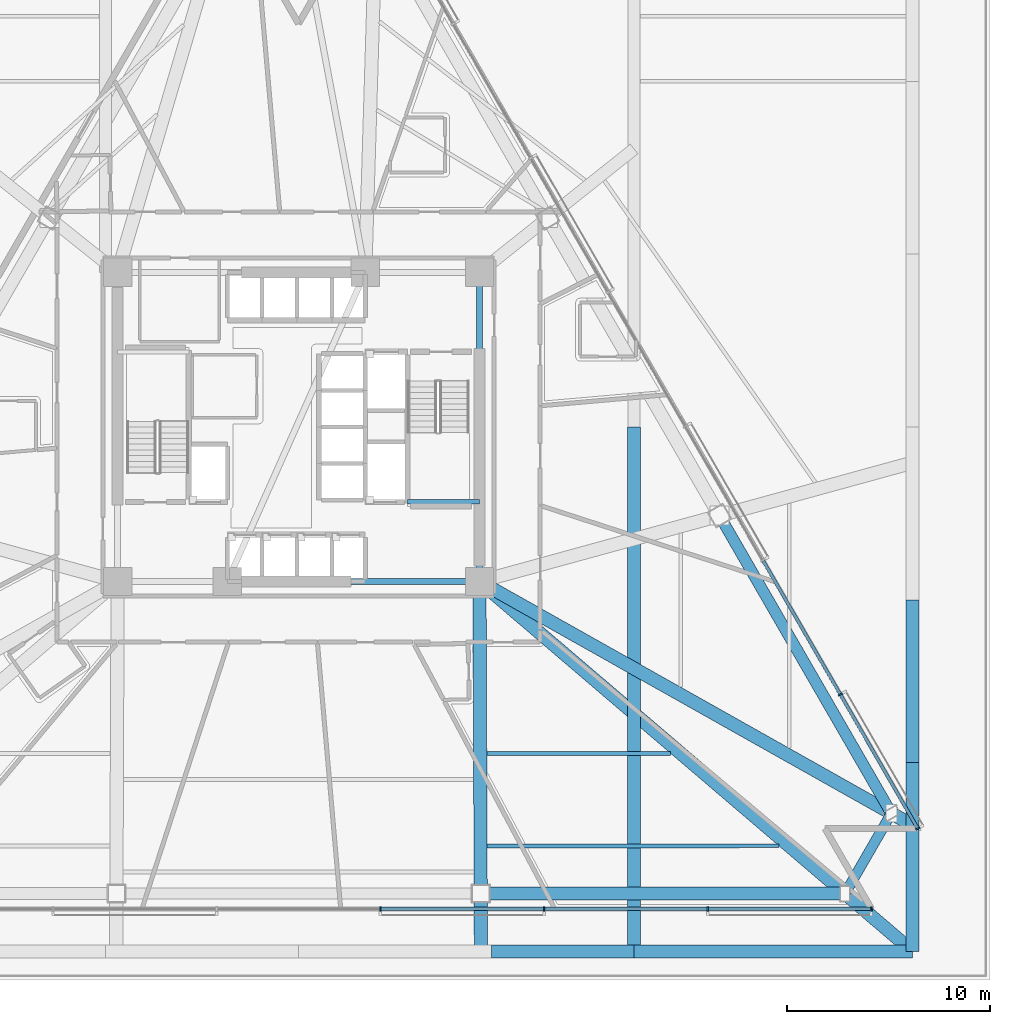
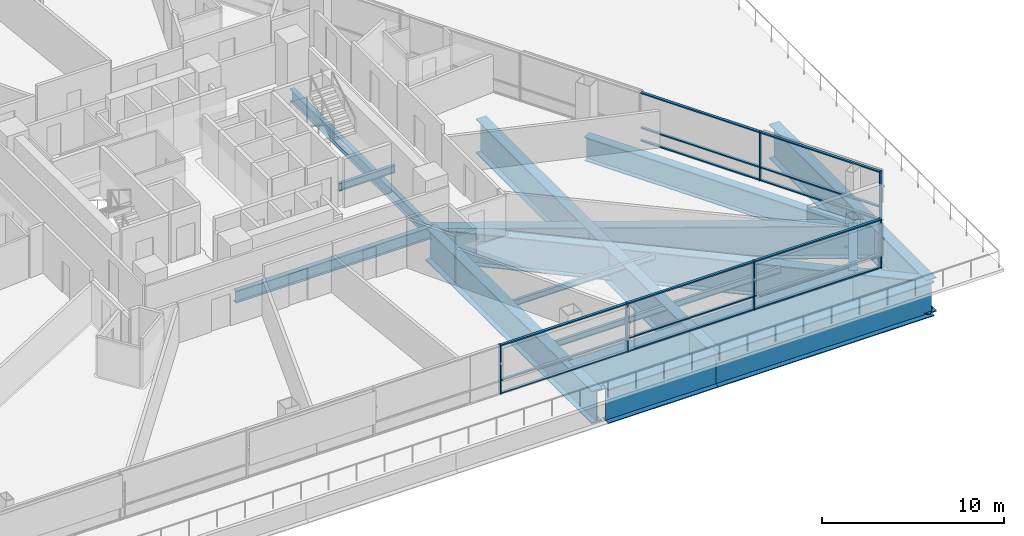
# One storey, part 4 of 19: 21 members, 16 beams, 2 elements without a shape of their own.
"""IFC4 building model written with IfcOpenShell, lengths in metres."""

import ifcopenshell
import ifcopenshell.guid

model = None  # the IFC model being written
_history = None  # IfcOwnerHistory: only IFC2X3 demands one
_inside = {}  # id of a spatial element -> (the spatial element, [elements in it])
_under = {}  # id of a project, library or spatial element -> (it, [spatial elements below it])
_declared = {}  # id of a project -> (the project, [libraries it declares])
_typed = {}  # id of a type object -> (the type object, [elements of that type])
_made_of = {}  # id of a material, layer set ... -> (it, [elements and type objects made of it])


def new_model(schema):
    """Start an empty IFC model of exactly this schema.

    Asked for "IFC4X3", IfcOpenShell would pick the latest addendum, in which some entities
    have other attributes; the version numbers below select the first issue.
    IFC2X3 requires an IfcOwnerHistory on every rooted entity: one is made here for all.
    """
    global model, _history
    if schema == "IFC4X3":
        model = ifcopenshell.file(schema_version=(4, 3, 0, 0))
    else:
        model = ifcopenshell.file(schema=schema)
    _inside.clear()
    _under.clear()
    _declared.clear()
    _typed.clear()
    _made_of.clear()
    _history = None
    if model.schema == "IFC2X3":
        org = make("IfcOrganization", Name="unknown")
        user = make(
            "IfcPersonAndOrganization",
            ThePerson=make("IfcPerson", FamilyName="unknown"),
            TheOrganization=org,
        )
        app = make(
            "IfcApplication",
            ApplicationDeveloper=org,
            Version="unknown",
            ApplicationFullName="unknown",
            ApplicationIdentifier="unknown",
        )
        _history = make(
            "IfcOwnerHistory",
            OwningUser=user,
            OwningApplication=app,
            ChangeAction="ADDED",
            CreationDate=0,
        )
    return model


def make(cls, **values):
    """One entity of the class cls with the attributes given. An attribute that is None is left unset."""
    return model.create_entity(
        cls, **{name: value for name, value in values.items() if value is not None}
    )


def rooted(cls, **values):
    """An entity with a GlobalId (a new one), such as an element, a storey or a relation."""
    return make(cls, GlobalId=ifcopenshell.guid.new(), OwnerHistory=_history, **values)


def si_unit(unit_type, name, prefix=None):
    """IfcSIUnit, for example si_unit("LENGTHUNIT", "METRE", prefix="MILLI")."""
    return make("IfcSIUnit", UnitType=unit_type, Prefix=prefix, Name=name)


def assignment(units):
    """IfcUnitAssignment: the units of a project."""
    return None if units is None else make("IfcUnitAssignment", Units=units)


def point(xyz):
    """IfcCartesianPoint."""
    return None if xyz is None else make("IfcCartesianPoint", Coordinates=xyz)


def direction(xyz):
    """IfcDirection."""
    return None if xyz is None else make("IfcDirection", DirectionRatios=xyz)


def frame(location, z_axis=None, x_axis=None):
    """IfcAxis2Placement3D, a coordinate frame: its origin and axes. An axis left out is left unset."""
    return make(
        "IfcAxis2Placement3D",
        Location=point(location),
        Axis=direction(z_axis),
        RefDirection=direction(x_axis),
    )


def frame_2d(location, x_axis=None):
    """IfcAxis2Placement2D, a coordinate frame in the plane: its origin and x axis."""
    return make(
        "IfcAxis2Placement2D", Location=point(location), RefDirection=direction(x_axis)
    )


def origin():
    """The frame at (0, 0, 0) with its axes left unset."""
    return frame((0.0, 0.0, 0.0))


def origin_2d():
    """The frame at (0, 0) in the plane with its x axis left unset."""
    return frame_2d((0.0, 0.0))


def place(relative_to, where):
    """IfcLocalPlacement: puts the frame where relative to a parent placement (None: the world)."""
    return make(
        "IfcLocalPlacement", PlacementRelTo=relative_to, RelativePlacement=where
    )


def context(
    kind, dimensions, precision=None, world=None, true_north=None, identifier=None
):
    """IfcGeometricRepresentationContext, for example the 3D "Model" context."""
    return make(
        "IfcGeometricRepresentationContext",
        ContextIdentifier=identifier,
        ContextType=kind,
        CoordinateSpaceDimension=dimensions,
        Precision=precision,
        WorldCoordinateSystem=world,
        TrueNorth=true_north,
    )


def subcontext(parent, identifier, kind, view, scale=None):
    """IfcGeometricRepresentationSubContext, for example "Body" below "Model"."""
    return make(
        "IfcGeometricRepresentationSubContext",
        ContextIdentifier=identifier,
        ContextType=kind,
        ParentContext=parent,
        TargetScale=scale,
        TargetView=view,
    )


def project(units=None, contexts=None):
    """IfcProject with its units and contexts."""
    return rooted(
        "IfcProject",
        Name="project",
        RepresentationContexts=contexts,
        UnitsInContext=assignment(units),
    )


def spatial(cls, under=None, at=None, **own):
    """A site, building, storey or space (cls), placed at a placement, below another one or the project."""
    s = rooted(cls, ObjectPlacement=at, **own)
    if under is not None:
        _under.setdefault(under.id(), (under, []))[1].append(s)
    return s


def profile(cls, at=None, kind="AREA", **sizes):
    """A parametric profile (cls). Its sizes go by their IFC names, for example OverallWidth=200.0."""
    return make(cls, ProfileType=kind, Position=at, **sizes)


def rectangle(**sizes):
    """IfcRectangleProfileDef."""
    return profile("IfcRectangleProfileDef", **sizes)


def i_section(**sizes):
    """IfcIShapeProfileDef."""
    return profile("IfcIShapeProfileDef", **sizes)


def extrude(swept, where, along, depth):
    """IfcExtrudedAreaSolid: the profile swept, set in the frame where, extruded along a direction by depth."""
    return make(
        "IfcExtrudedAreaSolid",
        SweptArea=swept,
        Position=where,
        ExtrudedDirection=direction(along),
        Depth=depth,
    )


def shape(context_of_items, identifier, shape_type, items):
    """IfcShapeRepresentation: the items that make up one representation, for example the "Body"."""
    return make(
        "IfcShapeRepresentation",
        ContextOfItems=context_of_items,
        RepresentationIdentifier=identifier,
        RepresentationType=shape_type,
        Items=items,
    )


def material(Name=None, Category=None):
    """IfcMaterial."""
    return make("IfcMaterial", Name=Name, Category=Category)


def layer(
    of_material, thickness, ventilated=None, Name=None, Category=None, Priority=None
):
    """IfcMaterialLayer: one layer of a wall or slab, of a material (None: an air gap)."""
    return make(
        "IfcMaterialLayer",
        Material=of_material,
        LayerThickness=thickness,
        IsVentilated=ventilated,
        Name=Name,
        Category=Category,
        Priority=Priority,
    )


def layer_set(layers, Name=None):
    """IfcMaterialLayerSet."""
    return make("IfcMaterialLayerSet", MaterialLayers=layers, LayerSetName=Name)


def material_profile(
    of_material, cross_section, Name=None, Category=None, Priority=None
):
    """IfcMaterialProfile: a cross section and its material."""
    return make(
        "IfcMaterialProfile",
        Name=Name,
        Material=of_material,
        Profile=cross_section,
        Priority=Priority,
        Category=Category,
    )


def profile_set(profiles, Name=None, composite=None):
    """IfcMaterialProfileSet."""
    return make(
        "IfcMaterialProfileSet",
        Name=Name,
        MaterialProfiles=profiles,
        CompositeProfile=composite,
    )


def made_of(thing, what):
    """Note that an element or type object is made of a material, layer set ...; save() writes the relation."""
    if what is not None:
        _made_of.setdefault(what.id(), (what, []))[1].append(thing)
    return thing


def type_object(cls, material=None, **own):
    """A type object (cls), such as IfcWallType, which elements share."""
    return made_of(rooted(cls, **own), material)


def element(
    cls,
    number,
    at=None,
    inside=None,
    cuts=None,
    type_object=None,
    material=None,
    context=None,
    identifier="Body",
    shape_type=None,
    held_by="IfcProductDefinitionShape",
    body=None,
    shapes=None,
    **own,
):
    """One element of the class cls, such as IfcWall. Its Tag is "e" and its number.

    at: its placement. inside: the storey or other place that contains it. cuts: it is an
    opening in that element (IfcRelVoidsElement). A single representation is given by context,
    identifier, shape_type and body (its items); several are given by shapes. held_by: the class
    of the entity that holds the representations. save() writes the other relations.
    """
    e = rooted(cls, Tag="e%d" % number, ObjectPlacement=at, **own)
    if body is not None:
        shapes = [shape(context, identifier, shape_type, body)]
    if shapes is not None:
        e.Representation = make(held_by, Representations=shapes)
    if inside is not None:
        _inside.setdefault(inside.id(), (inside, []))[1].append(e)
    if cuts is not None:
        rooted(
            "IfcRelVoidsElement", RelatingBuildingElement=cuts, RelatedOpeningElement=e
        )
    if type_object is not None:
        _typed.setdefault(type_object.id(), (type_object, []))[1].append(e)
    return made_of(e, material)


def aggregate(whole, parts):
    """IfcRelAggregates: a whole, such as a stair, and the parts it consists of."""
    return rooted("IfcRelAggregates", RelatingObject=whole, RelatedObjects=parts)


def save(model, path):
    """Write the relations noted so far, then the file.

    IfcRelAggregates (storeys below a building ...), IfcRelContainedInSpatialStructure (elements
    in a storey), IfcRelDefinesByType, IfcRelAssociatesMaterial and IfcRelDeclares: one each for
    every whole, place, type object, material and project.
    """
    for whole, parts in _under.values():
        aggregate(whole, parts)
    for where, things in _inside.values():
        rooted(
            "IfcRelContainedInSpatialStructure",
            RelatedElements=things,
            RelatingStructure=where,
        )
    for kind, things in _typed.values():
        rooted("IfcRelDefinesByType", RelatedObjects=things, RelatingType=kind)
    for what, things in _made_of.values():
        rooted("IfcRelAssociatesMaterial", RelatedObjects=things, RelatingMaterial=what)
    for by, libraries in _declared.values():
        rooted("IfcRelDeclares", RelatingContext=by, RelatedDefinitions=libraries)
    model.write(path)


model = new_model("IFC4")

# Units and contexts
model_context = context("Model", 3, precision=1e-05, world=origin(), true_north=direction((0.0, 1.0)))
body_context = subcontext(model_context, "Body", "Model", "MODEL_VIEW")
ifc_project = project(units=[si_unit("LENGTHUNIT", "METRE"), si_unit("AREAUNIT", "SQUARE_METRE"), si_unit("VOLUMEUNIT", "CUBIC_METRE"), si_unit("PLANEANGLEUNIT", "RADIAN"), si_unit("MASSUNIT", "GRAM", prefix="KILO")], contexts=[model_context])

# Site, building, storey
site_placement = place(None, origin())
site = spatial("IfcSite", under=ifc_project, at=site_placement, CompositionType="ELEMENT")
building_placement = place(site_placement, origin())
building = spatial("IfcBuilding", under=site, at=building_placement, Name="Tharavind Bronze Gate", CompositionType="ELEMENT")
storey_placement = place(building_placement, frame((0.0, 0.0, 31.800048828125)))
storey = spatial("IfcBuildingStorey", under=building, at=storey_placement, Name="L06", CompositionType="ELEMENT", Elevation=31.800048828125)

# Curtain wall, members
ifc_material_1 = material(Name="Anodised Bronze Aluminium", Category="aluminium")
ifc_layer = layer(ifc_material_1, 0.219970703125)
ifc_layer_set = layer_set([ifc_layer], Name="Anodised Bronze Aluminium")
curtain_wall_type = type_object("IfcCurtainWallType", Name="UNITISED CURTAIN WALL HOTEL", PredefinedType="USERDEFINED", material=ifc_layer_set)
curtain_wall_1_placement = place(storey_placement, origin())
curtain_wall_1 = element("IfcCurtainWall", 1, at=curtain_wall_1_placement, inside=storey, type_object=curtain_wall_type, Name="L06 unitised curtain wall hotel CW-L06-S2", ObjectType="UNITISED CURTAIN WALL", PredefinedType="USERDEFINED")
member_type_1 = type_object("IfcMemberType", Name="CURTAIN WALL MULLION 80X220", PredefinedType="MULLION", material=ifc_material_1)
member_1_placement = place(storey_placement, frame((4.025146484375, -23.699951171875, 0.0), z_axis=(0.0, 0.0, 1.0), x_axis=(1.0, 0.0, 0.0)))
member_1 = element("IfcMember", 2, at=member_1_placement, type_object=member_type_1, Name="CW-L06-S2 mullion 5", PredefinedType="MULLION", context=body_context, shape_type="SweptSolid", body=[
    extrude(rectangle(XDim=0.080078125, YDim=0.219970703125, at=origin_2d()), origin(), (0.0, 0.0, 1.0), 3.27490234375),
])
member_2_placement = place(storey_placement, frame((12.0751953125, -23.699951171875, 0.0), z_axis=(0.0, 0.0, 1.0), x_axis=(1.0, 0.0, 0.0)))
member_2 = element("IfcMember", 3, at=member_2_placement, type_object=member_type_1, Name="CW-L06-S2 mullion 6", PredefinedType="MULLION", context=body_context, shape_type="SweptSolid", body=[
    extrude(rectangle(XDim=0.080078125, YDim=0.219970703125, at=origin_2d()), origin(), (0.0, 0.0, 1.0), 3.27490234375),
])
member_3_placement = place(storey_placement, frame((20.12548828125, -23.699951171875, 0.0), z_axis=(0.0, 0.0, 1.0), x_axis=(1.0, 0.0, 0.0)))
member_3 = element("IfcMember", 4, at=member_3_placement, type_object=member_type_1, Name="CW-L06-S2 mullion 7", PredefinedType="MULLION", context=body_context, shape_type="SweptSolid", body=[
    extrude(rectangle(XDim=0.080078125, YDim=0.219970703125, at=origin_2d()), origin(), (0.0, 0.0, 1.0), 3.27490234375),
])
member_4_placement = place(storey_placement, frame((28.17578125, -23.699951171875, 0.0), z_axis=(0.0, 0.0, 1.0), x_axis=(1.0, 0.0, 0.0)))
member_4 = element("IfcMember", 5, at=member_4_placement, type_object=member_type_1, Name="CW-L06-S2 mullion 8", PredefinedType="MULLION", context=body_context, shape_type="SweptSolid", body=[
    extrude(rectangle(XDim=0.080078125, YDim=0.219970703125, at=origin_2d()), origin(), (0.0, 0.0, 1.0), 3.27490234375),
])

curtain_wall_2_placement = place(storey_placement, origin())
curtain_wall_2 = element("IfcCurtainWall", 6, at=curtain_wall_2_placement, inside=storey, type_object=curtain_wall_type, Name="L06 unitised curtain wall hotel CW-L06-S3", ObjectType="UNITISED CURTAIN WALL", PredefinedType="USERDEFINED")
member_5_placement = place(storey_placement, frame((30.455810546875, -19.7509765625, 0.0), z_axis=(0.0, 0.0, 1.0), x_axis=(-0.500001511499, 0.866024531118, 0.0)))
member_5 = element("IfcMember", 7, at=member_5_placement, type_object=member_type_1, Name="CW-L06-S3 mullion 1", PredefinedType="MULLION", context=body_context, shape_type="SweptSolid", body=[
    extrude(rectangle(XDim=0.080078125, YDim=0.219970703125, at=origin_2d()), origin(), (0.0, 0.0, 1.0), 3.27490234375),
])
member_6_placement = place(storey_placement, frame((26.647705078125, -13.1552734375, 0.0), z_axis=(0.0, 0.0, 1.0), x_axis=(-0.500001511499, 0.866024531118, 0.0)))
member_6 = element("IfcMember", 8, at=member_6_placement, type_object=member_type_1, Name="CW-L06-S3 mullion 2", PredefinedType="MULLION", context=body_context, shape_type="SweptSolid", body=[
    extrude(rectangle(XDim=0.080078125, YDim=0.219970703125, at=origin_2d()), origin(), (0.0, 0.0, 1.0), 3.27490234375),
])

# Member
member_type_2 = type_object("IfcMemberType", Name="CURTAIN WALL TRANSOM 80X160", PredefinedType="USERDEFINED", material=ifc_material_1)
member_7_placement = place(storey_placement, frame((8.05029296875, -23.699951171875, 0.0), z_axis=(0.0, 0.0, 1.0), x_axis=(1.0, 0.0, 0.0)))
member_7 = element("IfcMember", 9, at=member_7_placement, type_object=member_type_2, Name="CW-L06-S2 transom TB5", ObjectType="TRANSOM", PredefinedType="USERDEFINED", context=body_context, shape_type="SweptSolid", body=[
    extrude(rectangle(XDim=7.982177734375, YDim=0.159912109375, at=origin_2d()), origin(), (0.0, 0.0, 1.0), 0.080078125),
])

member_8_placement = place(storey_placement, frame((8.05029296875, -23.699951171875, 0.85986328125), z_axis=(0.0, 0.0, 1.0), x_axis=(1.0, 0.0, 0.0)))
member_8 = element("IfcMember", 10, at=member_8_placement, type_object=member_type_2, Name="CW-L06-S2 transom TS5", ObjectType="TRANSOM", PredefinedType="USERDEFINED", context=body_context, shape_type="SweptSolid", body=[
    extrude(rectangle(XDim=7.982177734375, YDim=0.159912109375, at=origin_2d()), origin(), (0.0, 0.0, 1.0), 0.080078125),
])

member_9_placement = place(storey_placement, frame((8.05029296875, -23.699951171875, 3.19482421875), z_axis=(0.0, 0.0, 1.0), x_axis=(1.0, 0.0, 0.0)))
member_9 = element("IfcMember", 11, at=member_9_placement, type_object=member_type_2, Name="CW-L06-S2 transom TT5", ObjectType="TRANSOM", PredefinedType="USERDEFINED", context=body_context, shape_type="SweptSolid", body=[
    extrude(rectangle(XDim=7.982177734375, YDim=0.159912109375, at=origin_2d()), origin(), (0.0, 0.0, 1.0), 0.080078125),
])

member_10_placement = place(storey_placement, frame((16.1005859375, -23.699951171875, 0.0), z_axis=(0.0, 0.0, 1.0), x_axis=(1.0, 0.0, 0.0)))
member_10 = element("IfcMember", 12, at=member_10_placement, type_object=member_type_2, Name="CW-L06-S2 transom TB6", ObjectType="TRANSOM", PredefinedType="USERDEFINED", context=body_context, shape_type="SweptSolid", body=[
    extrude(rectangle(XDim=7.982177734375, YDim=0.159912109375, at=origin_2d()), origin(), (0.0, 0.0, 1.0), 0.080078125),
])

member_11_placement = place(storey_placement, frame((16.1005859375, -23.699951171875, 0.85986328125), z_axis=(0.0, 0.0, 1.0), x_axis=(1.0, 0.0, 0.0)))
member_11 = element("IfcMember", 13, at=member_11_placement, type_object=member_type_2, Name="CW-L06-S2 transom TS6", ObjectType="TRANSOM", PredefinedType="USERDEFINED", context=body_context, shape_type="SweptSolid", body=[
    extrude(rectangle(XDim=7.982177734375, YDim=0.159912109375, at=origin_2d()), origin(), (0.0, 0.0, 1.0), 0.080078125),
])

member_12_placement = place(storey_placement, frame((16.1005859375, -23.699951171875, 3.19482421875), z_axis=(0.0, 0.0, 1.0), x_axis=(1.0, 0.0, 0.0)))
member_12 = element("IfcMember", 14, at=member_12_placement, type_object=member_type_2, Name="CW-L06-S2 transom TT6", ObjectType="TRANSOM", PredefinedType="USERDEFINED", context=body_context, shape_type="SweptSolid", body=[
    extrude(rectangle(XDim=7.982177734375, YDim=0.159912109375, at=origin_2d()), origin(), (0.0, 0.0, 1.0), 0.080078125),
])

member_13_placement = place(storey_placement, frame((24.150634765625, -23.699951171875, 0.0), z_axis=(0.0, 0.0, 1.0), x_axis=(1.0, 0.0, 0.0)))
member_13 = element("IfcMember", 15, at=member_13_placement, type_object=member_type_2, Name="CW-L06-S2 transom TB7", ObjectType="TRANSOM", PredefinedType="USERDEFINED", context=body_context, shape_type="SweptSolid", body=[
    extrude(rectangle(XDim=7.982177734375, YDim=0.159912109375, at=origin_2d()), origin(), (0.0, 0.0, 1.0), 0.080078125),
])

member_14_placement = place(storey_placement, frame((24.150634765625, -23.699951171875, 0.85986328125), z_axis=(0.0, 0.0, 1.0), x_axis=(1.0, 0.0, 0.0)))
member_14 = element("IfcMember", 16, at=member_14_placement, type_object=member_type_2, Name="CW-L06-S2 transom TS7", ObjectType="TRANSOM", PredefinedType="USERDEFINED", context=body_context, shape_type="SweptSolid", body=[
    extrude(rectangle(XDim=7.982177734375, YDim=0.159912109375, at=origin_2d()), origin(), (0.0, 0.0, 1.0), 0.080078125),
])

member_15_placement = place(storey_placement, frame((24.150634765625, -23.699951171875, 3.19482421875), z_axis=(0.0, 0.0, 1.0), x_axis=(1.0, 0.0, 0.0)))
member_15 = element("IfcMember", 17, at=member_15_placement, type_object=member_type_2, Name="CW-L06-S2 transom TT7", ObjectType="TRANSOM", PredefinedType="USERDEFINED", context=body_context, shape_type="SweptSolid", body=[
    extrude(rectangle(XDim=7.982177734375, YDim=0.159912109375, at=origin_2d()), origin(), (0.0, 0.0, 1.0), 0.080078125),
])

aggregate(curtain_wall_1, [member_1, member_2, member_3, member_4, member_7, member_8, member_9, member_10, member_11, member_12, member_13, member_14, member_15])

member_16_placement = place(storey_placement, frame((28.5517578125, -16.453125, 0.0), z_axis=(0.0, 0.0, 1.0), x_axis=(-0.500001511499, 0.866024531118, 0.0)))
member_16 = element("IfcMember", 18, at=member_16_placement, type_object=member_type_2, Name="CW-L06-S3 transom TB1", ObjectType="TRANSOM", PredefinedType="USERDEFINED", context=body_context, shape_type="SweptSolid", body=[
    extrude(rectangle(XDim=7.5478515625, YDim=0.159912109375, at=origin_2d()), origin(), (0.0, 0.0, 1.0), 0.080078125),
])

member_17_placement = place(storey_placement, frame((28.5517578125, -16.453125, 0.85986328125), z_axis=(0.0, 0.0, 1.0), x_axis=(-0.500001511499, 0.866024531118, 0.0)))
member_17 = element("IfcMember", 19, at=member_17_placement, type_object=member_type_2, Name="CW-L06-S3 transom TS1", ObjectType="TRANSOM", PredefinedType="USERDEFINED", context=body_context, shape_type="SweptSolid", body=[
    extrude(rectangle(XDim=7.5478515625, YDim=0.159912109375, at=origin_2d()), origin(), (0.0, 0.0, 1.0), 0.080078125),
])

member_18_placement = place(storey_placement, frame((28.5517578125, -16.453125, 3.19482421875), z_axis=(0.0, 0.0, 1.0), x_axis=(-0.500001511499, 0.866024531118, 0.0)))
member_18 = element("IfcMember", 20, at=member_18_placement, type_object=member_type_2, Name="CW-L06-S3 transom TT1", ObjectType="TRANSOM", PredefinedType="USERDEFINED", context=body_context, shape_type="SweptSolid", body=[
    extrude(rectangle(XDim=7.5478515625, YDim=0.159912109375, at=origin_2d()), origin(), (0.0, 0.0, 1.0), 0.080078125),
])

member_19_placement = place(storey_placement, frame((24.743896484375, -9.857421875, 0.0), z_axis=(0.0, 0.0, 1.0), x_axis=(-0.500001511499, 0.866024531118, 0.0)))
member_19 = element("IfcMember", 21, at=member_19_placement, type_object=member_type_2, Name="CW-L06-S3 transom TB2", ObjectType="TRANSOM", PredefinedType="USERDEFINED", context=body_context, shape_type="SweptSolid", body=[
    extrude(rectangle(XDim=7.5478515625, YDim=0.159912109375, at=origin_2d()), origin(), (0.0, 0.0, 1.0), 0.080078125),
])

member_20_placement = place(storey_placement, frame((24.743896484375, -9.857421875, 0.85986328125), z_axis=(0.0, 0.0, 1.0), x_axis=(-0.500001511499, 0.866024531118, 0.0)))
member_20 = element("IfcMember", 22, at=member_20_placement, type_object=member_type_2, Name="CW-L06-S3 transom TS2", ObjectType="TRANSOM", PredefinedType="USERDEFINED", context=body_context, shape_type="SweptSolid", body=[
    extrude(rectangle(XDim=7.5478515625, YDim=0.159912109375, at=origin_2d()), origin(), (0.0, 0.0, 1.0), 0.080078125),
])

member_21_placement = place(storey_placement, frame((24.743896484375, -9.857421875, 3.19482421875), z_axis=(0.0, 0.0, 1.0), x_axis=(-0.500001511499, 0.866024531118, 0.0)))
member_21 = element("IfcMember", 23, at=member_21_placement, type_object=member_type_2, Name="CW-L06-S3 transom TT2", ObjectType="TRANSOM", PredefinedType="USERDEFINED", context=body_context, shape_type="SweptSolid", body=[
    extrude(rectangle(XDim=7.5478515625, YDim=0.159912109375, at=origin_2d()), origin(), (0.0, 0.0, 1.0), 0.080078125),
])

aggregate(curtain_wall_2, [member_5, member_6, member_16, member_17, member_18, member_19, member_20, member_21])

# Beams
ifc_material_2 = material(Name="Steel S355", Category="steel")
ifc_material_profile_1 = material_profile(ifc_material_2, i_section(OverallWidth=0.199951171875, OverallDepth=0.5, WebThickness=0.01025390625, FlangeThickness=0.01611328125, at=origin_2d()), Name="IPE500")
ifc_profile_set_1 = profile_set([ifc_material_profile_1], Name="Steel S355")
beam_type_1 = type_object("IfcBeamType", Name="PRIMARY GIRDER IPE500", PredefinedType="USERDEFINED", material=ifc_profile_set_1)
beam_1_placement = place(storey_placement, frame((5.35009765625, -3.679931640625, 1.27490234375), z_axis=(1.0, 0.0, 0.0), x_axis=(0.0, 1.0, 0.0)))
element("IfcBeam", 24, at=beam_1_placement, inside=storey, type_object=beam_type_1, Name="L06 primary girder ipe500 BM-LD-ST2-L06-1", ObjectType="GIRDER", PredefinedType="USERDEFINED", context=body_context, shape_type="SweptSolid", body=[
    extrude(i_section(OverallWidth=0.199951171875, OverallDepth=0.5, WebThickness=0.01025390625, FlangeThickness=0.01611328125, at=origin_2d()), origin(), (0.0, 0.0, 1.0), 3.5498046875),
])
ifc_material_profile_2 = material_profile(ifc_material_2, i_section(OverallWidth=0.300048828125, OverallDepth=0.800048828125, WebThickness=0.017578125, FlangeThickness=0.032958984375, at=origin_2d()), Name="HE800B")
ifc_profile_set_2 = profile_set([ifc_material_profile_2], Name="Steel S355")
beam_type_2 = type_object("IfcBeamType", Name="RING GIRDER HE800B", PredefinedType="USERDEFINED", material=ifc_profile_set_2)
beam_2_placement = place(storey_placement, frame((-3.5, -7.60009765625, -0.594970703125), z_axis=(1.0, 0.0, 0.0), x_axis=(0.0, 1.0, 0.0)))
element("IfcBeam", 25, at=beam_2_placement, inside=storey, type_object=beam_type_2, Name="L06 ring girder he800b BM-L06-CR2", ObjectType="GIRDER", PredefinedType="USERDEFINED", context=body_context, shape_type="SweptSolid", body=[
    extrude(i_section(OverallWidth=0.300048828125, OverallDepth=0.800048828125, WebThickness=0.017578125, FlangeThickness=0.032958984375, at=origin_2d()), origin(), (0.0, 0.0, 1.0), 12.39990234375),
])
beam_3_placement = place(storey_placement, frame((8.89990234375, -7.60009765625, -0.594970703125), z_axis=(0.0, 1.0, 0.0), x_axis=(-1.0, 0.0, 0.0)))
element("IfcBeam", 26, at=beam_3_placement, inside=storey, type_object=beam_type_2, Name="L06 ring girder he800b BM-L06-CR3", ObjectType="GIRDER", PredefinedType="USERDEFINED", context=body_context, shape_type="SweptSolid", body=[
    extrude(i_section(OverallWidth=0.300048828125, OverallDepth=0.800048828125, WebThickness=0.017578125, FlangeThickness=0.032958984375, at=origin_2d()), origin(), (0.0, 0.0, 1.0), 15.2001953125),
])
ifc_material_profile_3 = material_profile(ifc_material_2, i_section(OverallWidth=0.179931640625, OverallDepth=0.39990234375, WebThickness=0.008544921875, FlangeThickness=0.013427734375, at=origin_2d()), Name="IPE400")
ifc_profile_set_3 = profile_set([ifc_material_profile_3], Name="Steel S355")
beam_type_3 = type_object("IfcBeamType", Name="SECONDARY FLOOR JOIST IPE400", PredefinedType="JOIST", material=ifc_profile_set_3)
beam_4_placement = place(storey_placement, frame((9.261474609375, -16.062744140625, -0.39501953125), z_axis=(0.999999839134, 0.000567214883, 0.0), x_axis=(-0.000567214883, 0.999999839134, 0.0)))
element("IfcBeam", 27, at=beam_4_placement, inside=storey, type_object=beam_type_3, Name="L06 secondary floor joist ipe400 BM-L06-JSTA07", PredefinedType="JOIST", context=body_context, shape_type="SweptSolid", body=[
    extrude(i_section(OverallWidth=0.179931640625, OverallDepth=0.39990234375, WebThickness=0.008544921875, FlangeThickness=0.013427734375, at=origin_2d()), origin(), (0.0, 0.0, 1.0), 9.038818359375),
])
beam_5_placement = place(storey_placement, frame((9.27880859375, -20.61279296875, -0.39501953125), z_axis=(0.999999832614, 0.000578595278, 0.0), x_axis=(-0.000578595278, 0.999999832614, 0.0)))
element("IfcBeam", 28, at=beam_5_placement, inside=storey, type_object=beam_type_3, Name="L06 secondary floor joist ipe400 BM-L06-JSTB07", PredefinedType="JOIST", context=body_context, shape_type="SweptSolid", body=[
    extrude(i_section(OverallWidth=0.179931640625, OverallDepth=0.39990234375, WebThickness=0.008544921875, FlangeThickness=0.013427734375, at=origin_2d()), origin(), (0.0, 0.0, 1.0), 14.346435546875),
])
ifc_material_3 = material(Name="Steel S460", Category="steel")
ifc_material_profile_4 = material_profile(ifc_material_3, i_section(OverallWidth=0.5, OverallDepth=1.5, WebThickness=0.028076171875, FlangeThickness=0.050048828125, at=origin_2d()), Name="PG1500X500")
ifc_profile_set_4 = profile_set([ifc_material_profile_4], Name="Steel S460")
beam_type_4 = type_object("IfcBeamType", Name="TRANSFER GIRDER 1500X500", PredefinedType="USERDEFINED", material=ifc_profile_set_4)
beam_6_placement = place(storey_placement, frame((26.876708984375, -22.949951171875, -0.945068359375), z_axis=(0.500014431597, 0.866017071537, 0.0), x_axis=(-0.866017071537, 0.500014431597, 0.0)))
element("IfcBeam", 29, at=beam_6_placement, inside=storey, type_object=beam_type_4, Name="L06 transfer girder 1500x500 BM-L06-URG08", ObjectType="TRANSFER GIRDER", PredefinedType="USERDEFINED", context=body_context, shape_type="SweptSolid", body=[
    extrude(i_section(OverallWidth=0.5, OverallDepth=1.5, WebThickness=0.028076171875, FlangeThickness=0.050048828125, at=origin_2d()), origin(), (0.0, 0.0, 1.0), 4.559814453125),
])
ifc_material_profile_5 = material_profile(ifc_material_3, i_section(OverallWidth=0.550048828125, OverallDepth=1.60009765625, WebThickness=0.030029296875, FlangeThickness=0.050048828125, at=origin_2d()), Name="PG1600X550")
ifc_profile_set_5 = profile_set([ifc_material_profile_5], Name="Steel S460")
beam_type_5 = type_object("IfcBeamType", Name="TRANSFER GIRDER 1600X550", PredefinedType="USERDEFINED", material=ifc_profile_set_5)
beam_7_placement = place(storey_placement, frame((29.15673828125, -19.0009765625, -0.9951171875), z_axis=(-0.4999912383, 0.866030462295, 0.0), x_axis=(-0.866030462295, -0.4999912383, 0.0)))
element("IfcBeam", 30, at=beam_7_placement, inside=storey, type_object=beam_type_5, Name="L06 transfer girder 1600x550 BM-L06-URG09", ObjectType="TRANSFER GIRDER", PredefinedType="USERDEFINED", context=body_context, shape_type="SweptSolid", body=[
    extrude(i_section(OverallWidth=0.550048828125, OverallDepth=1.60009765625, WebThickness=0.030029296875, FlangeThickness=0.050048828125, at=origin_2d()), origin(), (0.0, 0.0, 1.0), 16.904541015625),
])
ifc_material_profile_6 = material_profile(ifc_material_3, i_section(OverallWidth=0.64990234375, OverallDepth=2.199951171875, WebThickness=0.035888671875, FlangeThickness=0.054931640625, at=origin_2d()), Name="PG2200X650")
ifc_profile_set_6 = profile_set([ifc_material_profile_6], Name="Steel S460")
beam_type_6 = type_object("IfcBeamType", Name="TRANSFER GIRDER 2200X650", PredefinedType="USERDEFINED", material=ifc_profile_set_6)
beam_8_placement = place(storey_placement, frame((8.958984375, -22.949951171875, -1.295166015625), z_axis=(1.0, 0.0, 0.0), x_axis=(0.0, 1.0, 0.0)))
element("IfcBeam", 31, at=beam_8_placement, inside=storey, type_object=beam_type_6, Name="L06 transfer girder 2200x650 BM-L06-URG07", ObjectType="TRANSFER GIRDER", PredefinedType="USERDEFINED", context=body_context, shape_type="SweptSolid", body=[
    extrude(i_section(OverallWidth=0.64990234375, OverallDepth=2.199951171875, WebThickness=0.035888671875, FlangeThickness=0.054931640625, at=origin_2d()), origin(), (0.0, 0.0, 1.0), 17.917724609375),
])
beam_9_placement = place(storey_placement, frame((8.89990234375, -7.60009765625, -1.295166015625), z_axis=(0.003836477595, -0.999992640693, 0.0), x_axis=(0.999992640693, 0.003836477595, 0.0)))
element("IfcBeam", 32, at=beam_9_placement, inside=storey, type_object=beam_type_6, Name="L06 transfer girder 2200x650 BM-L06-XFR07", ObjectType="TRANSFER GIRDER", PredefinedType="USERDEFINED", context=body_context, shape_type="SweptSolid", body=[
    extrude(i_section(OverallWidth=0.64990234375, OverallDepth=2.199951171875, WebThickness=0.035888671875, FlangeThickness=0.054931640625, at=origin_2d()), origin(), (0.0, 0.0, 1.0), 18.2001953125),
])
beam_10_placement = place(storey_placement, frame((8.89990234375, -7.60009765625, -1.295166015625), z_axis=(0.760484603767, -0.649355963577, 0.0), x_axis=(0.649355963577, 0.760484603767, 0.0)))
element("IfcBeam", 33, at=beam_10_placement, inside=storey, type_object=beam_type_6, Name="L06 transfer girder 2200x650 BM-L06-XFR08", ObjectType="TRANSFER GIRDER", PredefinedType="USERDEFINED", context=body_context, shape_type="SweptSolid", body=[
    extrude(i_section(OverallWidth=0.64990234375, OverallDepth=2.199951171875, WebThickness=0.035888671875, FlangeThickness=0.054931640625, at=origin_2d()), origin(), (0.0, 0.0, 1.0), 28.008544921875),
])
beam_11_placement = place(storey_placement, frame((8.89990234375, -7.60009765625, -1.295166015625), z_axis=(0.871461607182, -0.490463726699, 0.0), x_axis=(0.490463726699, 0.871461607182, 0.0)))
element("IfcBeam", 34, at=beam_11_placement, inside=storey, type_object=beam_type_6, Name="L06 transfer girder 2200x650 BM-L06-XFR09", ObjectType="TRANSFER GIRDER", PredefinedType="USERDEFINED", context=body_context, shape_type="SweptSolid", body=[
    extrude(i_section(OverallWidth=0.64990234375, OverallDepth=2.199951171875, WebThickness=0.035888671875, FlangeThickness=0.054931640625, at=origin_2d()), origin(), (0.0, 0.0, 1.0), 24.441650390625),
])
ifc_material_profile_7 = material_profile(ifc_material_3, i_section(OverallWidth=0.64990234375, OverallDepth=2.300048828125, WebThickness=0.035888671875, FlangeThickness=0.05810546875, at=origin_2d()), Name="PG2300X650")
ifc_profile_set_7 = profile_set([ifc_material_profile_7], Name="Steel S460")
beam_type_7 = type_object("IfcBeamType", Name="TRANSFER GIRDER 2300X650", PredefinedType="USERDEFINED", material=ifc_profile_set_7)
beam_12_placement = place(storey_placement, frame((9.5, -25.800048828125, -1.344970703125), z_axis=(1.0, 0.0, 0.0), x_axis=(0.0, 1.0, 0.0)))
element("IfcBeam", 35, at=beam_12_placement, inside=storey, type_object=beam_type_7, Name="L06 transfer girder 2300x650 BM-L06-PS5", ObjectType="TRANSFER GIRDER", PredefinedType="USERDEFINED", context=body_context, shape_type="SweptSolid", body=[
    extrude(i_section(OverallWidth=0.64990234375, OverallDepth=2.300048828125, WebThickness=0.035888671875, FlangeThickness=0.05810546875, at=origin_2d()), origin(), (0.0, 0.0, 1.0), 7.0),
])
beam_13_placement = place(storey_placement, frame((16.5, -25.800048828125, -1.344970703125), z_axis=(1.0, 0.0, 0.0), x_axis=(0.0, 1.0, 0.0)))
element("IfcBeam", 36, at=beam_13_placement, inside=storey, type_object=beam_type_7, Name="L06 transfer girder 2300x650 BM-L06-PS6", ObjectType="TRANSFER GIRDER", PredefinedType="USERDEFINED", context=body_context, shape_type="SweptSolid", body=[
    extrude(i_section(OverallWidth=0.64990234375, OverallDepth=2.300048828125, WebThickness=0.035888671875, FlangeThickness=0.05810546875, at=origin_2d()), origin(), (0.0, 0.0, 1.0), 13.699951171875),
])
beam_14_placement = place(storey_placement, frame((30.199951171875, -25.800048828125, -1.344970703125), z_axis=(0.0, 1.0, 0.0), x_axis=(-1.0, 0.0, 0.0)))
element("IfcBeam", 37, at=beam_14_placement, inside=storey, type_object=beam_type_7, Name="L06 transfer girder 2300x650 BM-L06-PE1", ObjectType="TRANSFER GIRDER", PredefinedType="USERDEFINED", context=body_context, shape_type="SweptSolid", body=[
    extrude(i_section(OverallWidth=0.64990234375, OverallDepth=2.300048828125, WebThickness=0.035888671875, FlangeThickness=0.05810546875, at=origin_2d()), origin(), (0.0, 0.0, 1.0), 9.300048828125),
])
beam_15_placement = place(storey_placement, frame((30.199951171875, -16.5, -1.344970703125), z_axis=(0.0, 1.0, 0.0), x_axis=(-1.0, 0.0, 0.0)))
element("IfcBeam", 38, at=beam_15_placement, inside=storey, type_object=beam_type_7, Name="L06 transfer girder 2300x650 BM-L06-PE2", ObjectType="TRANSFER GIRDER", PredefinedType="USERDEFINED", context=body_context, shape_type="SweptSolid", body=[
    extrude(i_section(OverallWidth=0.64990234375, OverallDepth=2.300048828125, WebThickness=0.035888671875, FlangeThickness=0.05810546875, at=origin_2d()), origin(), (0.0, 0.0, 1.0), 8.0),
])
beam_16_placement = place(storey_placement, frame((16.5, -25.800048828125, -1.344970703125), z_axis=(0.0, 1.0, 0.0), x_axis=(-1.0, 0.0, 0.0)))
element("IfcBeam", 39, at=beam_16_placement, inside=storey, type_object=beam_type_7, Name="L06 transfer girder 2300x650 BM-L06-PM36S", ObjectType="TRANSFER GIRDER", PredefinedType="USERDEFINED", context=body_context, shape_type="SweptSolid", body=[
    extrude(i_section(OverallWidth=0.64990234375, OverallDepth=2.300048828125, WebThickness=0.035888671875, FlangeThickness=0.05810546875, at=origin_2d()), origin(), (0.0, 0.0, 1.0), 25.800048828125),
])

save(model, "model.ifc")
